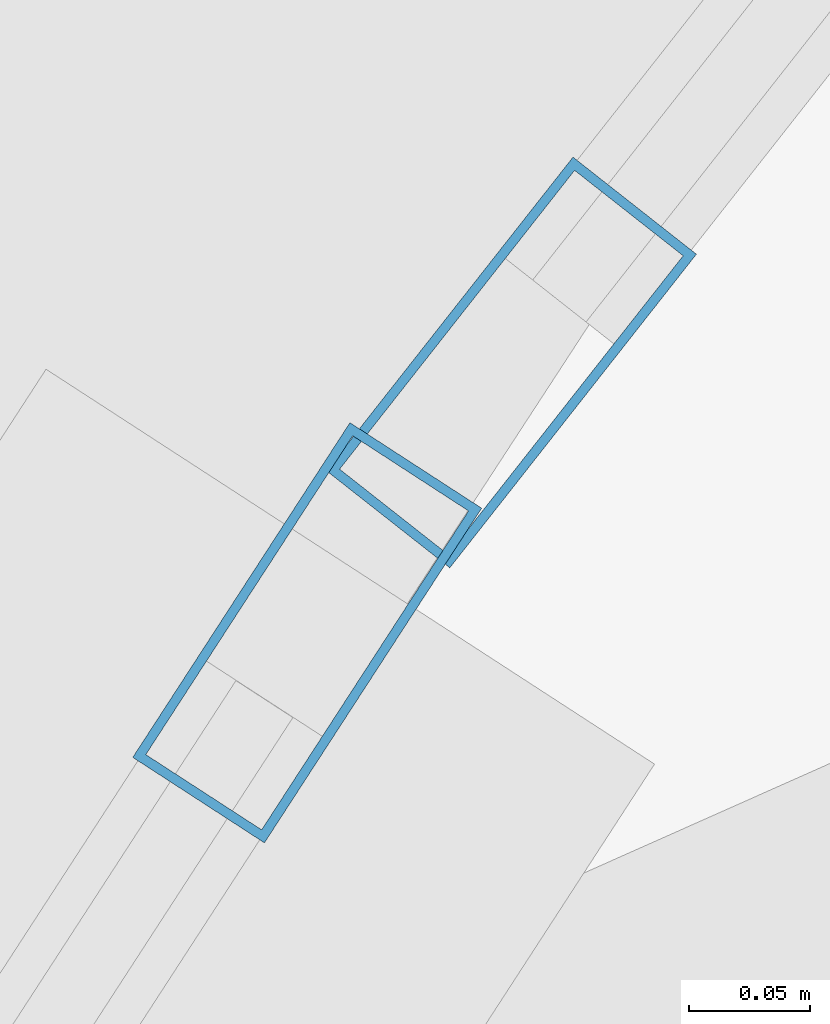
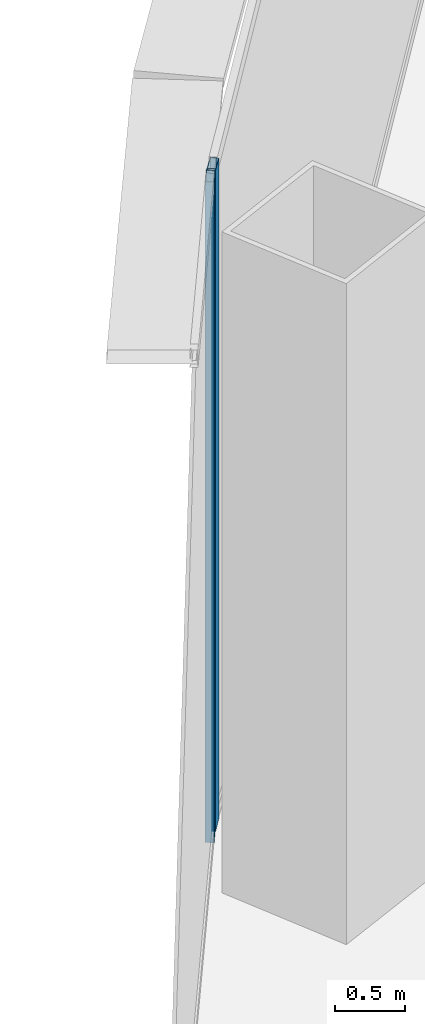
# One storey, part 18 of 41: 2 members, 2 elements without a shape of their own.
"""IFC4 building model written with IfcOpenShell, lengths in metres."""

from ifc_helpers import new_model, si_unit, direction, frame, origin, origin_2d, place, context, subcontext, project, spatial, hollow_rectangle, extrude, source, transform, mapped, material, layer, layer_set, material_profile, profile_set, type_object, element, aggregate, save


model = new_model("IFC4")

# Units and contexts
model_context = context("Model", 3, precision=1e-05, world=origin(), true_north=direction((0.0, 1.0)))
body_context = subcontext(model_context, "Body", "Model", "MODEL_VIEW")
ifc_project = project(units=[si_unit("LENGTHUNIT", "METRE"), si_unit("AREAUNIT", "SQUARE_METRE"), si_unit("VOLUMEUNIT", "CUBIC_METRE"), si_unit("PLANEANGLEUNIT", "RADIAN"), si_unit("MASSUNIT", "GRAM", prefix="KILO"), si_unit("THERMODYNAMICTEMPERATUREUNIT", "KELVIN"), si_unit("POWERUNIT", "WATT")], contexts=[model_context])

# Site, building, storey
site_placement = place(None, origin())
site = spatial("IfcSite", under=ifc_project, at=site_placement, CompositionType="ELEMENT")
building_placement = place(site_placement, origin())
building = spatial("IfcBuilding", under=site, at=building_placement, Name="Yunzhuo Pagoda Commons", CompositionType="ELEMENT")
storey_placement = place(building_placement, frame((0.0, 0.0, 70.330078125)))
storey = spatial("IfcBuildingStorey", under=building, at=storey_placement, Name="L18", CompositionType="ELEMENT", Elevation=70.330078125)

# Curtain wall, member
ifc_material = material(Name="Anodized aluminium 6063-T6", Category="aluminium")
ifc_layer = layer(ifc_material, 0.1650390625)
ifc_layer_set = layer_set([ifc_layer], Name="Anodized aluminium 6063-T6")
curtain_wall_type = type_object("IfcCurtainWallType", Name="CW-LOW Low-Zone Ribbon Curtain Wall", PredefinedType="NOTDEFINED", material=ifc_layer_set)
curtain_wall_1_placement = place(storey_placement, origin())
curtain_wall_1 = element("IfcCurtainWall", 1, at=curtain_wall_1_placement, inside=storey, type_object=curtain_wall_type, Name="L18 curtain wall CW-L18-F3B2", PredefinedType="NOTDEFINED")
ifc_material_profile = material_profile(ifc_material, hollow_rectangle(XDim=0.06494140625, YDim=0.1650390625, WallThickness=0.00390625, at=origin_2d()), Name="Anodized aluminium 6063-T6")
ifc_profile_set = profile_set([ifc_material_profile], Name="Anodized aluminium 6063-T6")
member_type = type_object("IfcMemberType", Name="CW-LOW-M Mullion RHS 165x65x4", PredefinedType="MULLION", material=ifc_profile_set)
shared_shape = source(origin(), body_context, "Body", "SweptSolid", [
    extrude(hollow_rectangle(XDim=0.06494140625, YDim=0.1650390625, WallThickness=0.00390625, at=origin_2d()), origin(), (0.0, 0.0, 1.0), 5.77001953125),
])
member_1_placement = place(storey_placement, frame((30.9443359375, 71.9404296875, 0.0), z_axis=(0.0, 0.0, 1.0), x_axis=(0.838840312647, -0.54437756188, 0.0)))
member_1 = element("IfcMember", 2, at=member_1_placement, type_object=member_type, Name="CW mullion 1", PredefinedType="MULLION", context=body_context, shape_type="MappedRepresentation", body=[
    mapped(shared_shape, transform((0.0, 0.0, 0.0), scale=1.0)),
])
aggregate(curtain_wall_1, [member_1])

curtain_wall_2_placement = place(storey_placement, origin())
curtain_wall_2 = element("IfcCurtainWall", 3, at=curtain_wall_2_placement, inside=storey, type_object=curtain_wall_type, Name="L18 curtain wall CW-L18-F3B1", PredefinedType="NOTDEFINED")
member_2_placement = place(storey_placement, frame((31.02880859375, 72.05224609375, 0.0), z_axis=(0.0, 0.0, 1.0), x_axis=(0.78604582322, -0.618168232602, 0.0)))
member_2 = element("IfcMember", 4, at=member_2_placement, type_object=member_type, Name="CW mullion 2", PredefinedType="MULLION", context=body_context, shape_type="MappedRepresentation", body=[
    mapped(shared_shape, transform((0.0, 0.0, 0.0), scale=1.0)),
])
aggregate(curtain_wall_2, [member_2])

save(model, "model.ifc")
